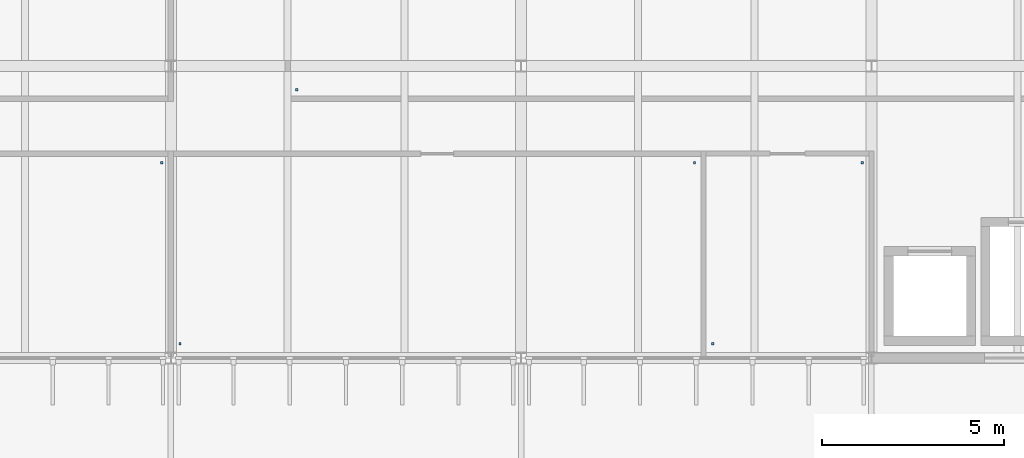
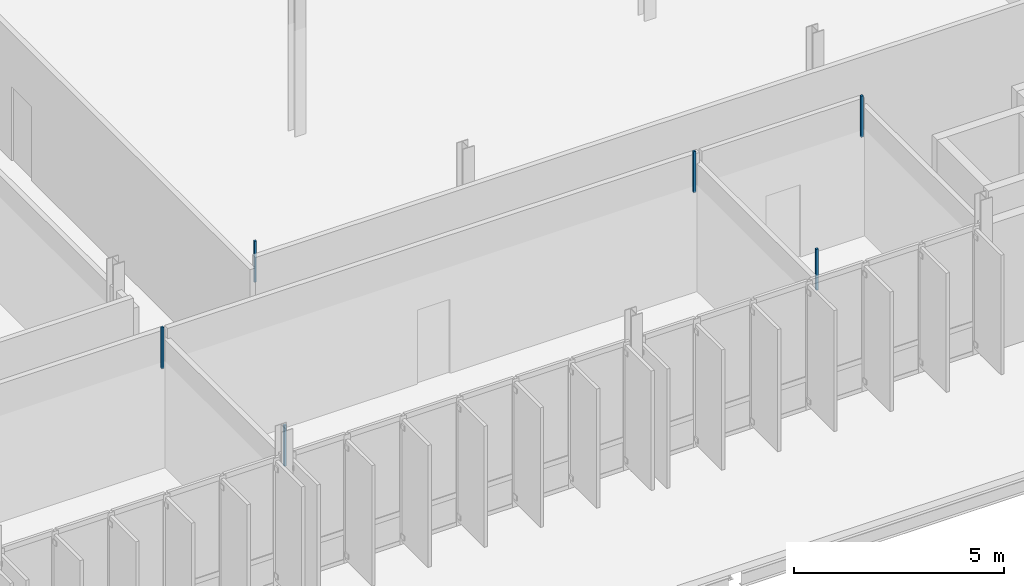
# One storey, part 76 of 107: 6 discrete accessories.
"""IFC4 building model written with IfcOpenShell, lengths in metres."""

from ifc_helpers import new_model, si_unit, direction, frame, origin, place, context, subcontext, project, spatial, polyline, outline, extrude, material, type_object, element, save


model = new_model("IFC4")

# Units and contexts
model_context = context("Model", 3, precision=1e-05, world=origin(), true_north=direction((0.0, 1.0)))
body_context = subcontext(model_context, "Body", "Model", "MODEL_VIEW")
ifc_project = project(units=[si_unit("LENGTHUNIT", "METRE"), si_unit("AREAUNIT", "SQUARE_METRE"), si_unit("VOLUMEUNIT", "CUBIC_METRE"), si_unit("PLANEANGLEUNIT", "RADIAN"), si_unit("MASSUNIT", "GRAM", prefix="KILO")], contexts=[model_context])

# Site, building, storey
site_placement = place(None, origin())
site = spatial("IfcSite", under=ifc_project, at=site_placement, CompositionType="ELEMENT")
building_placement = place(site_placement, origin())
building = spatial("IfcBuilding", under=site, at=building_placement, Name="Dunescarp Central Library", CompositionType="ELEMENT")
storey_placement = place(building_placement, frame((0.0, 0.0, 5.10009765625)))
storey = spatial("IfcBuildingStorey", under=building, at=storey_placement, Name="L01", CompositionType="ELEMENT", Elevation=5.10009765625)

# Discrete accessories
ifc_material = material(Name="Stainless steel Grade 316L", Category="steel")
discrete_accessory_type = type_object("IfcDiscreteAccessoryType", Name="ARC-ACC-BRK", PredefinedType="BRACKET", material=ifc_material)
discrete_accessory_1_placement = place(storey_placement, frame((0.0, 0.0, 3.059814453125)))
element("IfcDiscreteAccessory", 1, at=discrete_accessory_1_placement, inside=storey, type_object=discrete_accessory_type, Name="L01 ceiling hanger CLG-L01-094-H1", PredefinedType="BRACKET", context=body_context, shape_type="SweptSolid", body=[
    extrude(outline(polyline([(112.419921875, 5.159912109375), (112.47998046875, 5.159912109375), (112.47998046875, 5.219970703125), (112.419921875, 5.219970703125), (112.419921875, 5.159912109375)])), origin(), (0.0, 0.0, 1.0), 1.190185546875),
])
discrete_accessory_2_placement = place(storey_placement, frame((0.0, 0.0, 3.059814453125)))
element("IfcDiscreteAccessory", 2, at=discrete_accessory_2_placement, inside=storey, type_object=discrete_accessory_type, Name="L01 ceiling hanger CLG-L01-094-H2", PredefinedType="BRACKET", context=body_context, shape_type="SweptSolid", body=[
    extrude(outline(polyline([(116.52001953125, 10.1201171875), (116.580078125, 10.1201171875), (116.580078125, 10.179931640625), (116.52001953125, 10.179931640625), (116.52001953125, 10.1201171875)])), origin(), (0.0, 0.0, 1.0), 1.190185546875),
])
discrete_accessory_3_placement = place(storey_placement, frame((0.0, 0.0, 3.059814453125)))
element("IfcDiscreteAccessory", 3, at=discrete_accessory_3_placement, inside=storey, type_object=discrete_accessory_type, Name="L01 ceiling hanger CLG-L01-095-H2", PredefinedType="BRACKET", context=body_context, shape_type="SweptSolid", body=[
    extrude(outline(polyline([(97.320068359375, 10.1201171875), (97.3798828125, 10.1201171875), (97.3798828125, 10.179931640625), (97.320068359375, 10.179931640625), (97.320068359375, 10.1201171875)])), origin(), (0.0, 0.0, 1.0), 1.190185546875),
])
discrete_accessory_4_placement = place(storey_placement, frame((0.0, 0.0, 3.059814453125)))
element("IfcDiscreteAccessory", 4, at=discrete_accessory_4_placement, inside=storey, type_object=discrete_accessory_type, Name="L01 ceiling hanger CLG-L01-096-H1", PredefinedType="BRACKET", context=body_context, shape_type="SweptSolid", body=[
    extrude(outline(polyline([(97.820068359375, 5.159912109375), (97.8798828125, 5.159912109375), (97.8798828125, 5.219970703125), (97.820068359375, 5.219970703125), (97.820068359375, 5.159912109375)])), origin(), (0.0, 0.0, 1.0), 1.190185546875),
])
discrete_accessory_5_placement = place(storey_placement, frame((0.0, 0.0, 3.059814453125)))
element("IfcDiscreteAccessory", 5, at=discrete_accessory_5_placement, inside=storey, type_object=discrete_accessory_type, Name="L01 ceiling hanger CLG-L01-096-H2", PredefinedType="BRACKET", context=body_context, shape_type="SweptSolid", body=[
    extrude(outline(polyline([(111.919921875, 10.1201171875), (111.97998046875, 10.1201171875), (111.97998046875, 10.179931640625), (111.919921875, 10.179931640625), (111.919921875, 10.1201171875)])), origin(), (0.0, 0.0, 1.0), 1.190185546875),
])
discrete_accessory_6_placement = place(storey_placement, frame((0.0, 0.0, 3.059814453125)))
element("IfcDiscreteAccessory", 6, at=discrete_accessory_6_placement, inside=storey, type_object=discrete_accessory_type, Name="L01 ceiling hanger CLG-L01-098-H1", PredefinedType="BRACKET", context=body_context, shape_type="SweptSolid", body=[
    extrude(outline(polyline([(101.02001953125, 12.1201171875), (101.080078125, 12.1201171875), (101.080078125, 12.179931640625), (101.02001953125, 12.179931640625), (101.02001953125, 12.1201171875)])), origin(), (0.0, 0.0, 1.0), 1.190185546875),
])

save(model, "model.ifc")
